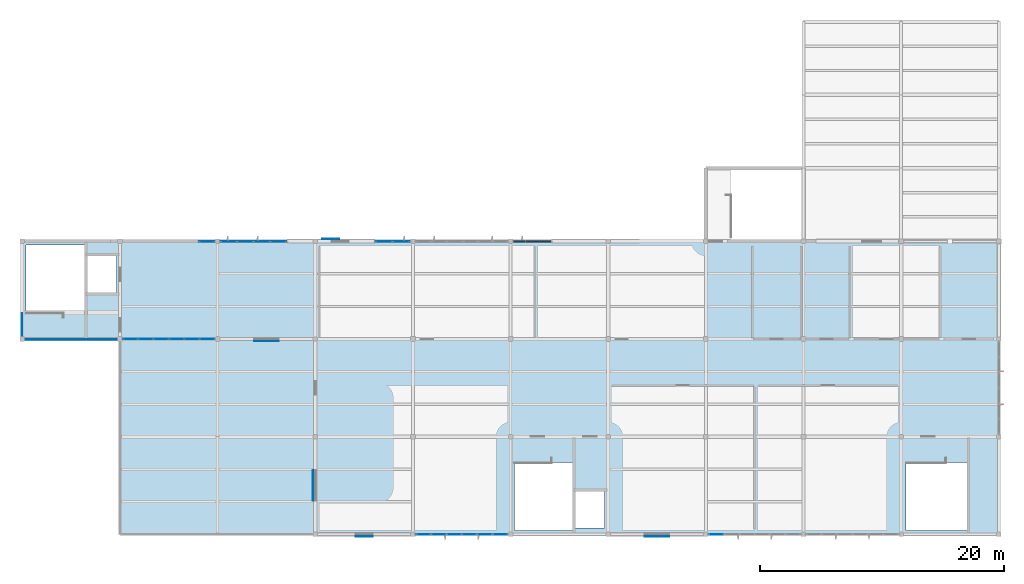
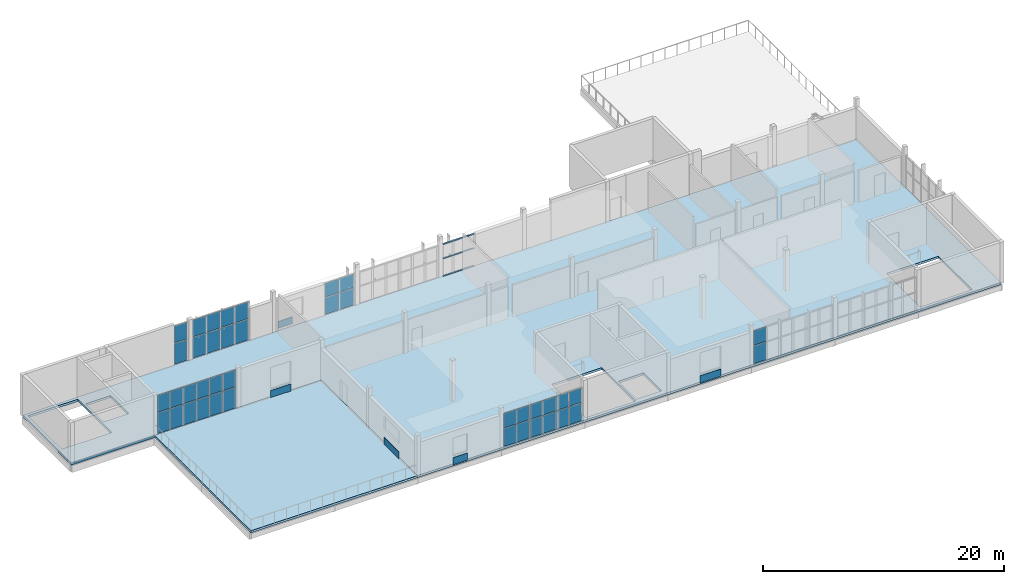
# One storey, part 7 of 15: 45 plates, 9 members, 3 slabs, 7 elements without a shape of their own.
"""IFC4 building model written with IfcOpenShell, lengths in metres."""

from ifc_helpers import new_model, si_unit, direction, frame, origin, origin_2d, place, context, subcontext, project, spatial, polyline, rectangle, outline, extrude, material, layer, layer_set, material_profile, profile_set, type_object, element, aggregate, save


model = new_model("IFC4")

# Units and contexts
model_context = context("Model", 3, precision=1e-05, world=origin(), true_north=direction((0.0, 1.0)))
body_context = subcontext(model_context, "Body", "Model", "MODEL_VIEW")
ifc_project = project(units=[si_unit("LENGTHUNIT", "METRE"), si_unit("AREAUNIT", "SQUARE_METRE"), si_unit("VOLUMEUNIT", "CUBIC_METRE"), si_unit("PLANEANGLEUNIT", "RADIAN"), si_unit("MASSUNIT", "GRAM", prefix="KILO")], contexts=[model_context])

# Site, building, storey
site_placement = place(None, origin())
site = spatial("IfcSite", under=ifc_project, at=site_placement, CompositionType="ELEMENT")
building_placement = place(site_placement, origin())
building = spatial("IfcBuilding", under=site, at=building_placement, Name="Solvane Community Centre", CompositionType="ELEMENT")
storey_placement = place(building_placement, frame((0.0, 0.0, 18.0)))
storey = spatial("IfcBuildingStorey", under=building, at=storey_placement, Name="L04", CompositionType="ELEMENT", Elevation=18.0)

# Curtain wall, members
ifc_material_1 = material(Name="Anodised bronze aluminium AW-6063 T6", Category="aluminium")
ifc_layer_1 = layer(ifc_material_1, 0.199951171875)
ifc_layer_set_1 = layer_set([ifc_layer_1], Name="Anodised bronze aluminium AW-6063 T6")
curtain_wall_type_1 = type_object("IfcCurtainWallType", Name="Courtyard Cloister Curtain Wall [31x33dm]", PredefinedType="NOTDEFINED", material=ifc_layer_set_1)
curtain_wall_1_placement = place(storey_placement, origin())
curtain_wall_1 = element("IfcCurtainWall", 1, at=curtain_wall_1_placement, inside=storey, type_object=curtain_wall_type_1, Name="Curtain Wall CW-L04-1002_300-240", PredefinedType="NOTDEFINED")
ifc_material_profile = material_profile(ifc_material_1, rectangle(XDim=0.139892578125, YDim=0.06005859375, at=origin_2d()), Name="CW-T 60x140")
ifc_profile_set = profile_set([ifc_material_profile], Name="Anodised bronze aluminium AW-6063 T6")
member_type = type_object("IfcMemberType", Name="Cloister Transom 60x140", PredefinedType="USERDEFINED", material=ifc_profile_set)
member_1_placement = place(storey_placement, frame((100.264892578125, 30.0, 0.030029296875), z_axis=(1.0, 0.0, 0.0), x_axis=(0.0, 1.0, 0.0)))
member_1 = element("IfcMember", 2, at=member_1_placement, type_object=member_type, Name="CW03-31x33 transom 1.1", ObjectType="TRANSOM", PredefinedType="USERDEFINED", context=body_context, shape_type="SweptSolid", body=[
    extrude(rectangle(XDim=0.139892578125, YDim=0.06005859375, at=origin_2d()), origin(), (0.0, 0.0, 1.0), 0.952880859375),
])
member_2_placement = place(storey_placement, frame((100.264892578125, 30.0, 1.806884765625), z_axis=(1.0, 0.0, 0.0), x_axis=(0.0, 1.0, 0.0)))
member_2 = element("IfcMember", 3, at=member_2_placement, type_object=member_type, Name="CW03-31x33 transom 1.2", ObjectType="TRANSOM", PredefinedType="USERDEFINED", context=body_context, shape_type="SweptSolid", body=[
    extrude(rectangle(XDim=0.139892578125, YDim=0.06005859375, at=origin_2d()), origin(), (0.0, 0.0, 1.0), 0.952880859375),
])
member_3_placement = place(storey_placement, frame((100.264892578125, 30.0, 3.2548828125), z_axis=(1.0, 0.0, 0.0), x_axis=(0.0, 1.0, 0.0)))
member_3 = element("IfcMember", 4, at=member_3_placement, type_object=member_type, Name="CW03-31x33 transom 1.3", ObjectType="TRANSOM", PredefinedType="USERDEFINED", context=body_context, shape_type="SweptSolid", body=[
    extrude(rectangle(XDim=0.139892578125, YDim=0.06005859375, at=origin_2d()), origin(), (0.0, 0.0, 1.0), 0.952880859375),
])
member_4_placement = place(storey_placement, frame((101.27783203125, 30.0, 0.030029296875), z_axis=(1.0, 0.0, 0.0), x_axis=(0.0, 1.0, 0.0)))
member_4 = element("IfcMember", 5, at=member_4_placement, type_object=member_type, Name="CW03-31x33 transom 2.1", ObjectType="TRANSOM", PredefinedType="USERDEFINED", context=body_context, shape_type="SweptSolid", body=[
    extrude(rectangle(XDim=0.139892578125, YDim=0.06005859375, at=origin_2d()), origin(), (0.0, 0.0, 1.0), 0.982666015625),
])
member_5_placement = place(storey_placement, frame((101.27783203125, 30.0, 1.806884765625), z_axis=(1.0, 0.0, 0.0), x_axis=(0.0, 1.0, 0.0)))
member_5 = element("IfcMember", 6, at=member_5_placement, type_object=member_type, Name="CW03-31x33 transom 2.2", ObjectType="TRANSOM", PredefinedType="USERDEFINED", context=body_context, shape_type="SweptSolid", body=[
    extrude(rectangle(XDim=0.139892578125, YDim=0.06005859375, at=origin_2d()), origin(), (0.0, 0.0, 1.0), 0.982666015625),
])
member_6_placement = place(storey_placement, frame((101.27783203125, 30.0, 3.2548828125), z_axis=(1.0, 0.0, 0.0), x_axis=(0.0, 1.0, 0.0)))
member_6 = element("IfcMember", 7, at=member_6_placement, type_object=member_type, Name="CW03-31x33 transom 2.3", ObjectType="TRANSOM", PredefinedType="USERDEFINED", context=body_context, shape_type="SweptSolid", body=[
    extrude(rectangle(XDim=0.139892578125, YDim=0.06005859375, at=origin_2d()), origin(), (0.0, 0.0, 1.0), 0.982666015625),
])
member_7_placement = place(storey_placement, frame((102.320556640625, 30.0, 0.030029296875), z_axis=(1.0, 0.0, 0.0), x_axis=(0.0, 1.0, 0.0)))
member_7 = element("IfcMember", 8, at=member_7_placement, type_object=member_type, Name="CW03-31x33 transom 3.1", ObjectType="TRANSOM", PredefinedType="USERDEFINED", context=body_context, shape_type="SweptSolid", body=[
    extrude(rectangle(XDim=0.139892578125, YDim=0.06005859375, at=origin_2d()), origin(), (0.0, 0.0, 1.0), 0.95263671875),
])
member_8_placement = place(storey_placement, frame((102.320556640625, 30.0, 1.806884765625), z_axis=(1.0, 0.0, 0.0), x_axis=(0.0, 1.0, 0.0)))
member_8 = element("IfcMember", 9, at=member_8_placement, type_object=member_type, Name="CW03-31x33 transom 3.2", ObjectType="TRANSOM", PredefinedType="USERDEFINED", context=body_context, shape_type="SweptSolid", body=[
    extrude(rectangle(XDim=0.139892578125, YDim=0.06005859375, at=origin_2d()), origin(), (0.0, 0.0, 1.0), 0.95263671875),
])
member_9_placement = place(storey_placement, frame((102.320556640625, 30.0, 3.2548828125), z_axis=(1.0, 0.0, 0.0), x_axis=(0.0, 1.0, 0.0)))
member_9 = element("IfcMember", 10, at=member_9_placement, type_object=member_type, Name="CW03-31x33 transom 3.3", ObjectType="TRANSOM", PredefinedType="USERDEFINED", context=body_context, shape_type="SweptSolid", body=[
    extrude(rectangle(XDim=0.139892578125, YDim=0.06005859375, at=origin_2d()), origin(), (0.0, 0.0, 1.0), 0.95263671875),
])
aggregate(curtain_wall_1, [member_1, member_2, member_3, member_4, member_5, member_6, member_7, member_8, member_9])

# Plates
ifc_layer_2 = layer(ifc_material_1, 0.02392578125)
ifc_layer_set_2 = layer_set([ifc_layer_2], Name="Anodised bronze aluminium AW-6063 T6")
plate_type_1 = type_object("IfcPlateType", Name="Bronze Spandrel Cassette 24mm", PredefinedType="SHEET", material=ifc_layer_set_2)
plate_1_placement = place(storey_placement, frame((112.0, 5.81298828125, 0.06005859375), z_axis=(0.0, 0.0, 1.0), x_axis=(-1.0, 0.0, 0.0)))
element("IfcPlate", 11, at=plate_1_placement, inside=storey, type_object=plate_type_1, Name="Art Deco Spandrel SPC-L04-050", PredefinedType="SHEET", context=body_context, shape_type="SweptSolid", body=[
    extrude(rectangle(XDim=2.0, YDim=0.02392578125, at=origin_2d()), origin(), (0.0, 0.0, 1.0), 0.719970703125),
])
plate_2_placement = place(storey_placement, frame((88.0, 5.81298828125, 0.06005859375), z_axis=(0.0, 0.0, 1.0), x_axis=(-1.0, 0.0, 0.0)))
element("IfcPlate", 12, at=plate_2_placement, inside=storey, type_object=plate_type_1, Name="Art Deco Spandrel SPC-L04-051", PredefinedType="SHEET", context=body_context, shape_type="SweptSolid", body=[
    extrude(rectangle(XDim=1.39990234375, YDim=0.02392578125, at=origin_2d()), origin(), (0.0, 0.0, 1.0), 0.719970703125),
])
plate_3_placement = place(storey_placement, frame((83.81298828125, 10.0, 0.06005859375), z_axis=(0.0, 0.0, 1.0), x_axis=(0.0, 1.0, 0.0)))
element("IfcPlate", 13, at=plate_3_placement, inside=storey, type_object=plate_type_1, Name="Art Deco Spandrel SPC-L04-052", PredefinedType="SHEET", context=body_context, shape_type="SweptSolid", body=[
    extrude(rectangle(XDim=2.5, YDim=0.02392578125, at=origin_2d()), origin(), (0.0, 0.0, 1.0), 0.719970703125),
])
plate_4_placement = place(storey_placement, frame((80.0, 21.81298828125, 0.06005859375), z_axis=(0.0, 0.0, 1.0), x_axis=(-1.0, 0.0, 0.0)))
element("IfcPlate", 14, at=plate_4_placement, inside=storey, type_object=plate_type_1, Name="Art Deco Spandrel SPC-L04-053", PredefinedType="SHEET", context=body_context, shape_type="SweptSolid", body=[
    extrude(rectangle(XDim=2.0, YDim=0.02392578125, at=origin_2d()), origin(), (0.0, 0.0, 1.0), 0.719970703125),
])
plate_5_placement = place(storey_placement, frame((85.27783203125, 30.18701171875, 0.06005859375), z_axis=(0.0, 0.0, 1.0), x_axis=(1.0, 0.0, 0.0)))
element("IfcPlate", 15, at=plate_5_placement, inside=storey, type_object=plate_type_1, Name="Art Deco Spandrel SPC-L04-054", PredefinedType="SHEET", context=body_context, shape_type="SweptSolid", body=[
    extrude(rectangle(XDim=1.39990234375, YDim=0.02392578125, at=origin_2d()), origin(), (0.0, 0.0, 1.0), 0.719970703125),
])

# Slab
ifc_material_2 = material(Name="Cross-laminated timber C24", Category="wood")
ifc_layer_3 = layer(ifc_material_2, 0.219970703125)
ifc_layer_set_3 = layer_set([ifc_layer_3], Name="Cross-laminated timber C24")
slab_type_1 = type_object("IfcSlabType", Name="CLT-Concrete Composite Floor Deck 220mm [FP-L04-V4]", PredefinedType="FLOOR", material=ifc_layer_set_3)
slab_1_placement = place(storey_placement, frame((0.0, 0.0, -0.219970703125)))
element("IfcSlab", 16, at=slab_1_placement, inside=storey, type_object=slab_type_1, Name="Floor Slab FP-L04-V4", PredefinedType="FLOOR", context=body_context, shape_type="SweptSolid", body=[
    extrude(outline(polyline([(60.0, 22.0), (84.0, 22.0), (84.0, 6.0), (140.0, 6.0), (140.0, 30.0), (60.0, 30.0), (60.0, 22.0)]), holes=[polyline([(60.300048828125, 24.1201171875), (65.10009765625, 24.1201171875), (65.10009765625, 29.699951171875), (60.300048828125, 29.699951171875), (60.300048828125, 24.1201171875)]), polyline([(65.300048828125, 25.800048828125), (67.699951171875, 25.800048828125), (67.699951171875, 28.800048828125), (65.300048828125, 28.800048828125), (65.300048828125, 25.800048828125)]), polyline([(100.300048828125, 6.300048828125), (105.10009765625, 6.300048828125), (105.10009765625, 11.8798828125), (100.300048828125, 11.8798828125), (100.300048828125, 6.300048828125)]), polyline([(105.300048828125, 6.5), (107.699951171875, 6.5), (107.699951171875, 9.5), (105.300048828125, 9.5), (105.300048828125, 6.5)]), polyline([(132.39990234375, 6.300048828125), (137.39990234375, 6.300048828125), (137.39990234375, 11.8798828125), (132.39990234375, 11.8798828125), (132.39990234375, 6.300048828125)])]), origin(), (0.0, 0.0, 1.0), 0.219970703125),
])

# Curtain wall, plates
ifc_layer_4 = layer(ifc_material_1, 0.199951171875)
ifc_layer_set_4 = layer_set([ifc_layer_4], Name="Anodised bronze aluminium AW-6063 T6")
curtain_wall_type_2 = type_object("IfcCurtainWallType", Name="Courtyard Cloister Curtain Wall [14x40dm]", PredefinedType="NOTDEFINED", material=ifc_layer_set_4)
curtain_wall_2_placement = place(storey_placement, origin())
curtain_wall_2 = element("IfcCurtainWall", 17, at=curtain_wall_2_placement, inside=storey, type_object=curtain_wall_type_2, Name="Curtain Wall CW-L04-744_300-235", PredefinedType="NOTDEFINED")
ifc_material_3 = material(Name="Tempered low-E double glazing", Category="glass")
ifc_layer_5 = layer(ifc_material_3, 0.028076171875)
ifc_layer_set_5 = layer_set([ifc_layer_5], Name="Tempered low-E double glazing")
plate_type_2 = type_object("IfcPlateType", Name="Cloister Vision Glazing Panel 28mm [14x40dm]", PredefinedType="CURTAIN_PANEL", material=ifc_layer_set_5)
plate_6_placement = place(storey_placement, frame((75.11962890625, 30.0, 0.06005859375), z_axis=(0.0, 0.0, 1.0), x_axis=(1.0, 0.0, 0.0)))
plate_6 = element("IfcPlate", 18, at=plate_6_placement, type_object=plate_type_2, Name="CW03-14x40 panel 1.1", PredefinedType="CURTAIN_PANEL", context=body_context, shape_type="SweptSolid", body=[
    extrude(rectangle(XDim=1.230712890625, YDim=0.028076171875, at=origin_2d()), origin(), (0.0, 0.0, 1.0), 2.110107421875),
])
plate_7_placement = place(storey_placement, frame((75.11962890625, 30.0, 2.22998046875), z_axis=(0.0, 0.0, 1.0), x_axis=(1.0, 0.0, 0.0)))
plate_7 = element("IfcPlate", 19, at=plate_7_placement, type_object=plate_type_2, Name="CW03-14x40 panel 1.2", PredefinedType="CURTAIN_PANEL", context=body_context, shape_type="SweptSolid", body=[
    extrude(rectangle(XDim=1.230712890625, YDim=0.028076171875, at=origin_2d()), origin(), (0.0, 0.0, 1.0), 1.7099609375),
])
aggregate(curtain_wall_2, [plate_6, plate_7])

ifc_layer_6 = layer(ifc_material_1, 0.199951171875)
ifc_layer_set_6 = layer_set([ifc_layer_6], Name="Anodised bronze aluminium AW-6063 T6")
curtain_wall_type_3 = type_object("IfcCurtainWallType", Name="Courtyard Cloister Curtain Wall [29x33dm]", PredefinedType="NOTDEFINED", material=ifc_layer_set_6)
curtain_wall_3_placement = place(storey_placement, origin())
curtain_wall_3 = element("IfcCurtainWall", 20, at=curtain_wall_3_placement, inside=storey, type_object=curtain_wall_type_3, Name="Curtain Wall CW-L04-889_300-237", PredefinedType="NOTDEFINED")
ifc_layer_7 = layer(ifc_material_3, 0.028076171875)
ifc_layer_set_7 = layer_set([ifc_layer_7], Name="Tempered low-E double glazing")
plate_type_3 = type_object("IfcPlateType", Name="Cloister Vision Glazing Panel 28mm [29x33dm]", PredefinedType="CURTAIN_PANEL", material=ifc_layer_set_7)
plate_8_placement = place(storey_placement, frame((89.63037109375, 30.0, 0.06005859375), z_axis=(0.0, 0.0, 1.0), x_axis=(1.0, 0.0, 0.0)))
plate_8 = element("IfcPlate", 21, at=plate_8_placement, type_object=plate_type_3, Name="CW03-29x33 panel 1.1", PredefinedType="CURTAIN_PANEL", context=body_context, shape_type="SweptSolid", body=[
    extrude(rectangle(XDim=1.363037109375, YDim=0.028076171875, at=origin_2d()), origin(), (0.0, 0.0, 1.0), 1.717041015625),
])
plate_9_placement = place(storey_placement, frame((89.63037109375, 30.0, 1.8369140625), z_axis=(0.0, 0.0, 1.0), x_axis=(1.0, 0.0, 0.0)))
plate_9 = element("IfcPlate", 22, at=plate_9_placement, type_object=plate_type_3, Name="CW03-29x33 panel 1.2", PredefinedType="CURTAIN_PANEL", context=body_context, shape_type="SweptSolid", body=[
    extrude(rectangle(XDim=1.363037109375, YDim=0.028076171875, at=origin_2d()), origin(), (0.0, 0.0, 1.0), 1.387939453125),
])
plate_10_placement = place(storey_placement, frame((91.053466796875, 30.0, 0.06005859375), z_axis=(0.0, 0.0, 1.0), x_axis=(1.0, 0.0, 0.0)))
plate_10 = element("IfcPlate", 23, at=plate_10_placement, type_object=plate_type_3, Name="CW03-29x33 panel 2.1", PredefinedType="CURTAIN_PANEL", context=body_context, shape_type="SweptSolid", body=[
    extrude(rectangle(XDim=1.363037109375, YDim=0.028076171875, at=origin_2d()), origin(), (0.0, 0.0, 1.0), 1.717041015625),
])
plate_11_placement = place(storey_placement, frame((91.053466796875, 30.0, 1.8369140625), z_axis=(0.0, 0.0, 1.0), x_axis=(1.0, 0.0, 0.0)))
plate_11 = element("IfcPlate", 24, at=plate_11_placement, type_object=plate_type_3, Name="CW03-29x33 panel 2.2", PredefinedType="CURTAIN_PANEL", context=body_context, shape_type="SweptSolid", body=[
    extrude(rectangle(XDim=1.363037109375, YDim=0.028076171875, at=origin_2d()), origin(), (0.0, 0.0, 1.0), 1.387939453125),
])
aggregate(curtain_wall_3, [plate_8, plate_9, plate_10, plate_11])

ifc_layer_8 = layer(ifc_material_1, 0.199951171875)
ifc_layer_set_8 = layer_set([ifc_layer_8], Name="Anodised bronze aluminium AW-6063 T6")
curtain_wall_type_4 = type_object("IfcCurtainWallType", Name="Courtyard Cloister Curtain Wall [55x40dm]", PredefinedType="NOTDEFINED", material=ifc_layer_set_8)
curtain_wall_4_placement = place(storey_placement, origin())
curtain_wall_4 = element("IfcCurtainWall", 25, at=curtain_wall_4_placement, inside=storey, type_object=curtain_wall_type_4, Name="Curtain Wall CW-L04-762_300-236", PredefinedType="NOTDEFINED")
ifc_layer_9 = layer(ifc_material_3, 0.028076171875)
ifc_layer_set_9 = layer_set([ifc_layer_9], Name="Tempered low-E double glazing")
plate_type_4 = type_object("IfcPlateType", Name="Cloister Vision Glazing Panel 28mm [55x40dm]", PredefinedType="CURTAIN_PANEL", material=ifc_layer_set_9)
plate_12_placement = place(storey_placement, frame((76.90283203125, 30.0, 0.06005859375), z_axis=(0.0, 0.0, 1.0), x_axis=(1.0, 0.0, 0.0)))
plate_12 = element("IfcPlate", 26, at=plate_12_placement, type_object=plate_type_4, Name="CW03-55x40 panel 1.1", PredefinedType="CURTAIN_PANEL", context=body_context, shape_type="SweptSolid", body=[
    extrude(rectangle(XDim=1.275390625, YDim=0.028076171875, at=origin_2d()), origin(), (0.0, 0.0, 1.0), 2.110107421875),
])
plate_13_placement = place(storey_placement, frame((76.90283203125, 30.0, 2.22998046875), z_axis=(0.0, 0.0, 1.0), x_axis=(1.0, 0.0, 0.0)))
plate_13 = element("IfcPlate", 27, at=plate_13_placement, type_object=plate_type_4, Name="CW03-55x40 panel 1.2", PredefinedType="CURTAIN_PANEL", context=body_context, shape_type="SweptSolid", body=[
    extrude(rectangle(XDim=1.275390625, YDim=0.028076171875, at=origin_2d()), origin(), (0.0, 0.0, 1.0), 1.7099609375),
])
plate_14_placement = place(storey_placement, frame((78.253173828125, 30.0, 0.06005859375), z_axis=(0.0, 0.0, 1.0), x_axis=(1.0, 0.0, 0.0)))
plate_14 = element("IfcPlate", 28, at=plate_14_placement, type_object=plate_type_4, Name="CW03-55x40 panel 2.1", PredefinedType="CURTAIN_PANEL", context=body_context, shape_type="SweptSolid", body=[
    extrude(rectangle(XDim=1.305419921875, YDim=0.028076171875, at=origin_2d()), origin(), (0.0, 0.0, 1.0), 2.110107421875),
])
plate_15_placement = place(storey_placement, frame((78.253173828125, 30.0, 2.22998046875), z_axis=(0.0, 0.0, 1.0), x_axis=(1.0, 0.0, 0.0)))
plate_15 = element("IfcPlate", 29, at=plate_15_placement, type_object=plate_type_4, Name="CW03-55x40 panel 2.2", PredefinedType="CURTAIN_PANEL", context=body_context, shape_type="SweptSolid", body=[
    extrude(rectangle(XDim=1.305419921875, YDim=0.028076171875, at=origin_2d()), origin(), (0.0, 0.0, 1.0), 1.7099609375),
])
plate_16_placement = place(storey_placement, frame((79.61865234375, 30.0, 0.06005859375), z_axis=(0.0, 0.0, 1.0), x_axis=(1.0, 0.0, 0.0)))
plate_16 = element("IfcPlate", 30, at=plate_16_placement, type_object=plate_type_4, Name="CW03-55x40 panel 3.1", PredefinedType="CURTAIN_PANEL", context=body_context, shape_type="SweptSolid", body=[
    extrude(rectangle(XDim=1.305419921875, YDim=0.028076171875, at=origin_2d()), origin(), (0.0, 0.0, 1.0), 2.110107421875),
])
plate_17_placement = place(storey_placement, frame((79.61865234375, 30.0, 2.22998046875), z_axis=(0.0, 0.0, 1.0), x_axis=(1.0, 0.0, 0.0)))
plate_17 = element("IfcPlate", 31, at=plate_17_placement, type_object=plate_type_4, Name="CW03-55x40 panel 3.2", PredefinedType="CURTAIN_PANEL", context=body_context, shape_type="SweptSolid", body=[
    extrude(rectangle(XDim=1.305419921875, YDim=0.028076171875, at=origin_2d()), origin(), (0.0, 0.0, 1.0), 1.7099609375),
])
plate_18_placement = place(storey_placement, frame((80.968994140625, 30.0, 0.06005859375), z_axis=(0.0, 0.0, 1.0), x_axis=(1.0, 0.0, 0.0)))
plate_18 = element("IfcPlate", 32, at=plate_18_placement, type_object=plate_type_4, Name="CW03-55x40 panel 4.1", PredefinedType="CURTAIN_PANEL", context=body_context, shape_type="SweptSolid", body=[
    extrude(rectangle(XDim=1.275390625, YDim=0.028076171875, at=origin_2d()), origin(), (0.0, 0.0, 1.0), 2.110107421875),
])
plate_19_placement = place(storey_placement, frame((80.968994140625, 30.0, 2.22998046875), z_axis=(0.0, 0.0, 1.0), x_axis=(1.0, 0.0, 0.0)))
plate_19 = element("IfcPlate", 33, at=plate_19_placement, type_object=plate_type_4, Name="CW03-55x40 panel 4.2", PredefinedType="CURTAIN_PANEL", context=body_context, shape_type="SweptSolid", body=[
    extrude(rectangle(XDim=1.275390625, YDim=0.028076171875, at=origin_2d()), origin(), (0.0, 0.0, 1.0), 1.7099609375),
])
aggregate(curtain_wall_4, [plate_12, plate_13, plate_14, plate_15, plate_16, plate_17, plate_18, plate_19])

ifc_layer_10 = layer(ifc_material_1, 0.199951171875)
ifc_layer_set_10 = layer_set([ifc_layer_10], Name="Anodised bronze aluminium AW-6063 T6")
curtain_wall_type_5 = type_object("IfcCurtainWallType", Name="Courtyard Cloister Curtain Wall [76x35dm]", PredefinedType="NOTDEFINED", material=ifc_layer_set_10)
curtain_wall_5_placement = place(storey_placement, origin())
curtain_wall_5 = element("IfcCurtainWall", 34, at=curtain_wall_5_placement, inside=storey, type_object=curtain_wall_type_5, Name="Curtain Wall CW-L04-1238_60-232", PredefinedType="NOTDEFINED")
ifc_layer_11 = layer(ifc_material_3, 0.028076171875)
ifc_layer_set_11 = layer_set([ifc_layer_11], Name="Tempered low-E double glazing")
plate_type_5 = type_object("IfcPlateType", Name="Cloister Vision Glazing Panel 28mm [76x35dm]", PredefinedType="CURTAIN_PANEL", material=ifc_layer_set_11)
plate_20_placement = place(storey_placement, frame((116.8525390625, 6.0, 0.06005859375), z_axis=(0.0, 0.0, 1.0), x_axis=(-1.0, 0.0, 0.0)))
plate_20 = element("IfcPlate", 35, at=plate_20_placement, type_object=plate_type_5, Name="CW03-76x35 panel 6.1", PredefinedType="CURTAIN_PANEL", context=body_context, shape_type="SweptSolid", body=[
    extrude(rectangle(XDim=1.175048828125, YDim=0.028076171875, at=origin_2d()), origin(), (0.0, 0.0, 1.0), 1.81591796875),
])
plate_21_placement = place(storey_placement, frame((116.8525390625, 6.0, 1.93603515625), z_axis=(0.0, 0.0, 1.0), x_axis=(-1.0, 0.0, 0.0)))
plate_21 = element("IfcPlate", 36, at=plate_21_placement, type_object=plate_type_5, Name="CW03-76x35 panel 6.2", PredefinedType="CURTAIN_PANEL", context=body_context, shape_type="SweptSolid", body=[
    extrude(rectangle(XDim=1.175048828125, YDim=0.028076171875, at=origin_2d()), origin(), (0.0, 0.0, 1.0), 1.468994140625),
])
aggregate(curtain_wall_5, [plate_20, plate_21])

curtain_wall_6_placement = place(storey_placement, origin())
curtain_wall_6 = element("IfcCurtainWall", 37, at=curtain_wall_6_placement, inside=storey, type_object=curtain_wall_type_5, Name="Curtain Wall CW-L04-998_60-233", PredefinedType="NOTDEFINED")
plate_22_placement = place(storey_placement, frame((99.1474609375, 6.0, 0.06005859375), z_axis=(0.0, 0.0, 1.0), x_axis=(-1.0, 0.0, 0.0)))
plate_22 = element("IfcPlate", 38, at=plate_22_placement, type_object=plate_type_5, Name="CW03-76x35 panel 1.1", PredefinedType="CURTAIN_PANEL", context=body_context, shape_type="SweptSolid", body=[
    extrude(rectangle(XDim=1.175048828125, YDim=0.028076171875, at=origin_2d()), origin(), (0.0, 0.0, 1.0), 1.81591796875),
])
plate_23_placement = place(storey_placement, frame((99.1474609375, 6.0, 1.93603515625), z_axis=(0.0, 0.0, 1.0), x_axis=(-1.0, 0.0, 0.0)))
plate_23 = element("IfcPlate", 39, at=plate_23_placement, type_object=plate_type_5, Name="CW03-76x35 panel 1.2", PredefinedType="CURTAIN_PANEL", context=body_context, shape_type="SweptSolid", body=[
    extrude(rectangle(XDim=1.175048828125, YDim=0.028076171875, at=origin_2d()), origin(), (0.0, 0.0, 1.0), 1.468994140625),
])
plate_24_placement = place(storey_placement, frame((97.8974609375, 6.0, 0.06005859375), z_axis=(0.0, 0.0, 1.0), x_axis=(-1.0, 0.0, 0.0)))
plate_24 = element("IfcPlate", 40, at=plate_24_placement, type_object=plate_type_5, Name="CW03-76x35 panel 2.1", PredefinedType="CURTAIN_PANEL", context=body_context, shape_type="SweptSolid", body=[
    extrude(rectangle(XDim=1.205078125, YDim=0.028076171875, at=origin_2d()), origin(), (0.0, 0.0, 1.0), 1.81591796875),
])
plate_25_placement = place(storey_placement, frame((97.8974609375, 6.0, 1.93603515625), z_axis=(0.0, 0.0, 1.0), x_axis=(-1.0, 0.0, 0.0)))
plate_25 = element("IfcPlate", 41, at=plate_25_placement, type_object=plate_type_5, Name="CW03-76x35 panel 2.2", PredefinedType="CURTAIN_PANEL", context=body_context, shape_type="SweptSolid", body=[
    extrude(rectangle(XDim=1.205078125, YDim=0.028076171875, at=origin_2d()), origin(), (0.0, 0.0, 1.0), 1.468994140625),
])
plate_26_placement = place(storey_placement, frame((96.632568359375, 6.0, 0.06005859375), z_axis=(0.0, 0.0, 1.0), x_axis=(-1.0, 0.0, 0.0)))
plate_26 = element("IfcPlate", 42, at=plate_26_placement, type_object=plate_type_5, Name="CW03-76x35 panel 3.1", PredefinedType="CURTAIN_PANEL", context=body_context, shape_type="SweptSolid", body=[
    extrude(rectangle(XDim=1.205078125, YDim=0.028076171875, at=origin_2d()), origin(), (0.0, 0.0, 1.0), 1.81591796875),
])
plate_27_placement = place(storey_placement, frame((96.632568359375, 6.0, 1.93603515625), z_axis=(0.0, 0.0, 1.0), x_axis=(-1.0, 0.0, 0.0)))
plate_27 = element("IfcPlate", 43, at=plate_27_placement, type_object=plate_type_5, Name="CW03-76x35 panel 3.2", PredefinedType="CURTAIN_PANEL", context=body_context, shape_type="SweptSolid", body=[
    extrude(rectangle(XDim=1.205078125, YDim=0.028076171875, at=origin_2d()), origin(), (0.0, 0.0, 1.0), 1.468994140625),
])
plate_28_placement = place(storey_placement, frame((95.367431640625, 6.0, 0.06005859375), z_axis=(0.0, 0.0, 1.0), x_axis=(-1.0, 0.0, 0.0)))
plate_28 = element("IfcPlate", 44, at=plate_28_placement, type_object=plate_type_5, Name="CW03-76x35 panel 4.1", PredefinedType="CURTAIN_PANEL", context=body_context, shape_type="SweptSolid", body=[
    extrude(rectangle(XDim=1.205078125, YDim=0.028076171875, at=origin_2d()), origin(), (0.0, 0.0, 1.0), 1.81591796875),
])
plate_29_placement = place(storey_placement, frame((95.367431640625, 6.0, 1.93603515625), z_axis=(0.0, 0.0, 1.0), x_axis=(-1.0, 0.0, 0.0)))
plate_29 = element("IfcPlate", 45, at=plate_29_placement, type_object=plate_type_5, Name="CW03-76x35 panel 4.2", PredefinedType="CURTAIN_PANEL", context=body_context, shape_type="SweptSolid", body=[
    extrude(rectangle(XDim=1.205078125, YDim=0.028076171875, at=origin_2d()), origin(), (0.0, 0.0, 1.0), 1.468994140625),
])
plate_30_placement = place(storey_placement, frame((94.1025390625, 6.0, 0.06005859375), z_axis=(0.0, 0.0, 1.0), x_axis=(-1.0, 0.0, 0.0)))
plate_30 = element("IfcPlate", 46, at=plate_30_placement, type_object=plate_type_5, Name="CW03-76x35 panel 5.1", PredefinedType="CURTAIN_PANEL", context=body_context, shape_type="SweptSolid", body=[
    extrude(rectangle(XDim=1.205078125, YDim=0.028076171875, at=origin_2d()), origin(), (0.0, 0.0, 1.0), 1.81591796875),
])
plate_31_placement = place(storey_placement, frame((94.1025390625, 6.0, 1.93603515625), z_axis=(0.0, 0.0, 1.0), x_axis=(-1.0, 0.0, 0.0)))
plate_31 = element("IfcPlate", 47, at=plate_31_placement, type_object=plate_type_5, Name="CW03-76x35 panel 5.2", PredefinedType="CURTAIN_PANEL", context=body_context, shape_type="SweptSolid", body=[
    extrude(rectangle(XDim=1.205078125, YDim=0.028076171875, at=origin_2d()), origin(), (0.0, 0.0, 1.0), 1.468994140625),
])
plate_32_placement = place(storey_placement, frame((92.8525390625, 6.0, 0.06005859375), z_axis=(0.0, 0.0, 1.0), x_axis=(-1.0, 0.0, 0.0)))
plate_32 = element("IfcPlate", 48, at=plate_32_placement, type_object=plate_type_5, Name="CW03-76x35 panel 6.1", PredefinedType="CURTAIN_PANEL", context=body_context, shape_type="SweptSolid", body=[
    extrude(rectangle(XDim=1.175048828125, YDim=0.028076171875, at=origin_2d()), origin(), (0.0, 0.0, 1.0), 1.81591796875),
])
plate_33_placement = place(storey_placement, frame((92.8525390625, 6.0, 1.93603515625), z_axis=(0.0, 0.0, 1.0), x_axis=(-1.0, 0.0, 0.0)))
plate_33 = element("IfcPlate", 49, at=plate_33_placement, type_object=plate_type_5, Name="CW03-76x35 panel 6.2", PredefinedType="CURTAIN_PANEL", context=body_context, shape_type="SweptSolid", body=[
    extrude(rectangle(XDim=1.175048828125, YDim=0.028076171875, at=origin_2d()), origin(), (0.0, 0.0, 1.0), 1.468994140625),
])
aggregate(curtain_wall_6, [plate_22, plate_23, plate_24, plate_25, plate_26, plate_27, plate_28, plate_29, plate_30, plate_31, plate_32, plate_33])

ifc_layer_12 = layer(ifc_material_1, 0.199951171875)
ifc_layer_set_12 = layer_set([ifc_layer_12], Name="Anodised bronze aluminium AW-6063 T6")
curtain_wall_type_6 = type_object("IfcCurtainWallType", Name="Courtyard Cloister Curtain Wall [76x40dm]", PredefinedType="NOTDEFINED", material=ifc_layer_set_12)
curtain_wall_7_placement = place(storey_placement, origin())
curtain_wall_7 = element("IfcCurtainWall", 50, at=curtain_wall_7_placement, inside=storey, type_object=curtain_wall_type_6, Name="Curtain Wall CW-L04-758_220-234", PredefinedType="NOTDEFINED")
ifc_layer_13 = layer(ifc_material_3, 0.028076171875)
ifc_layer_set_13 = layer_set([ifc_layer_13], Name="Tempered low-E double glazing")
plate_type_6 = type_object("IfcPlateType", Name="Cloister Vision Glazing Panel 28mm [76x40dm]", PredefinedType="CURTAIN_PANEL", material=ifc_layer_set_13)
plate_34_placement = place(storey_placement, frame((75.1474609375, 22.0, 0.06005859375), z_axis=(0.0, 0.0, 1.0), x_axis=(-1.0, 0.0, 0.0)))
plate_34 = element("IfcPlate", 51, at=plate_34_placement, type_object=plate_type_6, Name="CW03-76x40 panel 1.1", PredefinedType="CURTAIN_PANEL", context=body_context, shape_type="SweptSolid", body=[
    extrude(rectangle(XDim=1.175048828125, YDim=0.028076171875, at=origin_2d()), origin(), (0.0, 0.0, 1.0), 2.110107421875),
])
plate_35_placement = place(storey_placement, frame((75.1474609375, 22.0, 2.22998046875), z_axis=(0.0, 0.0, 1.0), x_axis=(-1.0, 0.0, 0.0)))
plate_35 = element("IfcPlate", 52, at=plate_35_placement, type_object=plate_type_6, Name="CW03-76x40 panel 1.2", PredefinedType="CURTAIN_PANEL", context=body_context, shape_type="SweptSolid", body=[
    extrude(rectangle(XDim=1.175048828125, YDim=0.028076171875, at=origin_2d()), origin(), (0.0, 0.0, 1.0), 1.7099609375),
])
plate_36_placement = place(storey_placement, frame((73.8974609375, 22.0, 0.06005859375), z_axis=(0.0, 0.0, 1.0), x_axis=(-1.0, 0.0, 0.0)))
plate_36 = element("IfcPlate", 53, at=plate_36_placement, type_object=plate_type_6, Name="CW03-76x40 panel 2.1", PredefinedType="CURTAIN_PANEL", context=body_context, shape_type="SweptSolid", body=[
    extrude(rectangle(XDim=1.205078125, YDim=0.028076171875, at=origin_2d()), origin(), (0.0, 0.0, 1.0), 2.110107421875),
])
plate_37_placement = place(storey_placement, frame((73.8974609375, 22.0, 2.22998046875), z_axis=(0.0, 0.0, 1.0), x_axis=(-1.0, 0.0, 0.0)))
plate_37 = element("IfcPlate", 54, at=plate_37_placement, type_object=plate_type_6, Name="CW03-76x40 panel 2.2", PredefinedType="CURTAIN_PANEL", context=body_context, shape_type="SweptSolid", body=[
    extrude(rectangle(XDim=1.205078125, YDim=0.028076171875, at=origin_2d()), origin(), (0.0, 0.0, 1.0), 1.7099609375),
])
plate_38_placement = place(storey_placement, frame((72.632568359375, 22.0, 0.06005859375), z_axis=(0.0, 0.0, 1.0), x_axis=(-1.0, 0.0, 0.0)))
plate_38 = element("IfcPlate", 55, at=plate_38_placement, type_object=plate_type_6, Name="CW03-76x40 panel 3.1", PredefinedType="CURTAIN_PANEL", context=body_context, shape_type="SweptSolid", body=[
    extrude(rectangle(XDim=1.205078125, YDim=0.028076171875, at=origin_2d()), origin(), (0.0, 0.0, 1.0), 2.110107421875),
])
plate_39_placement = place(storey_placement, frame((72.632568359375, 22.0, 2.22998046875), z_axis=(0.0, 0.0, 1.0), x_axis=(-1.0, 0.0, 0.0)))
plate_39 = element("IfcPlate", 56, at=plate_39_placement, type_object=plate_type_6, Name="CW03-76x40 panel 3.2", PredefinedType="CURTAIN_PANEL", context=body_context, shape_type="SweptSolid", body=[
    extrude(rectangle(XDim=1.205078125, YDim=0.028076171875, at=origin_2d()), origin(), (0.0, 0.0, 1.0), 1.7099609375),
])
plate_40_placement = place(storey_placement, frame((71.367431640625, 22.0, 0.06005859375), z_axis=(0.0, 0.0, 1.0), x_axis=(-1.0, 0.0, 0.0)))
plate_40 = element("IfcPlate", 57, at=plate_40_placement, type_object=plate_type_6, Name="CW03-76x40 panel 4.1", PredefinedType="CURTAIN_PANEL", context=body_context, shape_type="SweptSolid", body=[
    extrude(rectangle(XDim=1.205078125, YDim=0.028076171875, at=origin_2d()), origin(), (0.0, 0.0, 1.0), 2.110107421875),
])
plate_41_placement = place(storey_placement, frame((71.367431640625, 22.0, 2.22998046875), z_axis=(0.0, 0.0, 1.0), x_axis=(-1.0, 0.0, 0.0)))
plate_41 = element("IfcPlate", 58, at=plate_41_placement, type_object=plate_type_6, Name="CW03-76x40 panel 4.2", PredefinedType="CURTAIN_PANEL", context=body_context, shape_type="SweptSolid", body=[
    extrude(rectangle(XDim=1.205078125, YDim=0.028076171875, at=origin_2d()), origin(), (0.0, 0.0, 1.0), 1.7099609375),
])
plate_42_placement = place(storey_placement, frame((70.1025390625, 22.0, 0.06005859375), z_axis=(0.0, 0.0, 1.0), x_axis=(-1.0, 0.0, 0.0)))
plate_42 = element("IfcPlate", 59, at=plate_42_placement, type_object=plate_type_6, Name="CW03-76x40 panel 5.1", PredefinedType="CURTAIN_PANEL", context=body_context, shape_type="SweptSolid", body=[
    extrude(rectangle(XDim=1.205078125, YDim=0.028076171875, at=origin_2d()), origin(), (0.0, 0.0, 1.0), 2.110107421875),
])
plate_43_placement = place(storey_placement, frame((70.1025390625, 22.0, 2.22998046875), z_axis=(0.0, 0.0, 1.0), x_axis=(-1.0, 0.0, 0.0)))
plate_43 = element("IfcPlate", 60, at=plate_43_placement, type_object=plate_type_6, Name="CW03-76x40 panel 5.2", PredefinedType="CURTAIN_PANEL", context=body_context, shape_type="SweptSolid", body=[
    extrude(rectangle(XDim=1.205078125, YDim=0.028076171875, at=origin_2d()), origin(), (0.0, 0.0, 1.0), 1.7099609375),
])
plate_44_placement = place(storey_placement, frame((68.8525390625, 22.0, 0.06005859375), z_axis=(0.0, 0.0, 1.0), x_axis=(-1.0, 0.0, 0.0)))
plate_44 = element("IfcPlate", 61, at=plate_44_placement, type_object=plate_type_6, Name="CW03-76x40 panel 6.1", PredefinedType="CURTAIN_PANEL", context=body_context, shape_type="SweptSolid", body=[
    extrude(rectangle(XDim=1.175048828125, YDim=0.028076171875, at=origin_2d()), origin(), (0.0, 0.0, 1.0), 2.110107421875),
])
plate_45_placement = place(storey_placement, frame((68.8525390625, 22.0, 2.22998046875), z_axis=(0.0, 0.0, 1.0), x_axis=(-1.0, 0.0, 0.0)))
plate_45 = element("IfcPlate", 62, at=plate_45_placement, type_object=plate_type_6, Name="CW03-76x40 panel 6.2", PredefinedType="CURTAIN_PANEL", context=body_context, shape_type="SweptSolid", body=[
    extrude(rectangle(XDim=1.175048828125, YDim=0.028076171875, at=origin_2d()), origin(), (0.0, 0.0, 1.0), 1.7099609375),
])
aggregate(curtain_wall_7, [plate_34, plate_35, plate_36, plate_37, plate_38, plate_39, plate_40, plate_41, plate_42, plate_43, plate_44, plate_45])

# Slabs
ifc_material_4 = material(Name="Concrete C35/45", Category="concrete")
ifc_layer_14 = layer(ifc_material_4, 0.219970703125)
ifc_layer_set_14 = layer_set([ifc_layer_14], Name="Concrete C35/45")
slab_type_2 = type_object("IfcSlabType", Name="Insulated Planted Terrace Slab 220mm [TER-L04-V4W]", PredefinedType="FLOOR", material=ifc_layer_set_14)
slab_2_placement = place(storey_placement, frame((0.0, 0.0, -0.219970703125)))
element("IfcSlab", 63, at=slab_2_placement, inside=storey, type_object=slab_type_2, Name="Upper Boulevard Belvedere Roof Garden", PredefinedType="FLOOR", context=body_context, shape_type="SweptSolid", body=[
    extrude(outline(polyline([(68.0, 6.0), (84.0, 6.0), (84.0, 22.0), (68.0, 22.0), (68.0, 6.0)])), origin(), (0.0, 0.0, 1.0), 0.219970703125),
])
ifc_layer_15 = layer(ifc_material_4, 0.219970703125)
ifc_layer_set_15 = layer_set([ifc_layer_15], Name="Concrete C35/45")
slab_type_3 = type_object("IfcSlabType", Name="RC Core Floor Landing Slab 220mm", PredefinedType="LANDING", material=ifc_layer_set_15)
slab_3_placement = place(storey_placement, frame((0.0, 0.0, -0.219970703125)))
element("IfcSlab", 64, at=slab_3_placement, inside=storey, type_object=slab_type_3, Name="Stair Entry Landing SLB-FL-STR-C1-L03-TOP", PredefinedType="LANDING", context=body_context, shape_type="SweptSolid", body=[
    extrude(outline(polyline([(59.9599609375, 21.9599609375), (59.9599609375, 24.10009765625), (59.9951171875, 24.10009765625), (59.9951171875, 21.9951171875), (67.9951171875, 21.9951171875), (67.9951171875, 21.9599609375), (59.9599609375, 21.9599609375)])), origin(), (0.0, 0.0, 1.0), 0.219970703125),
])

save(model, "model.ifc")
